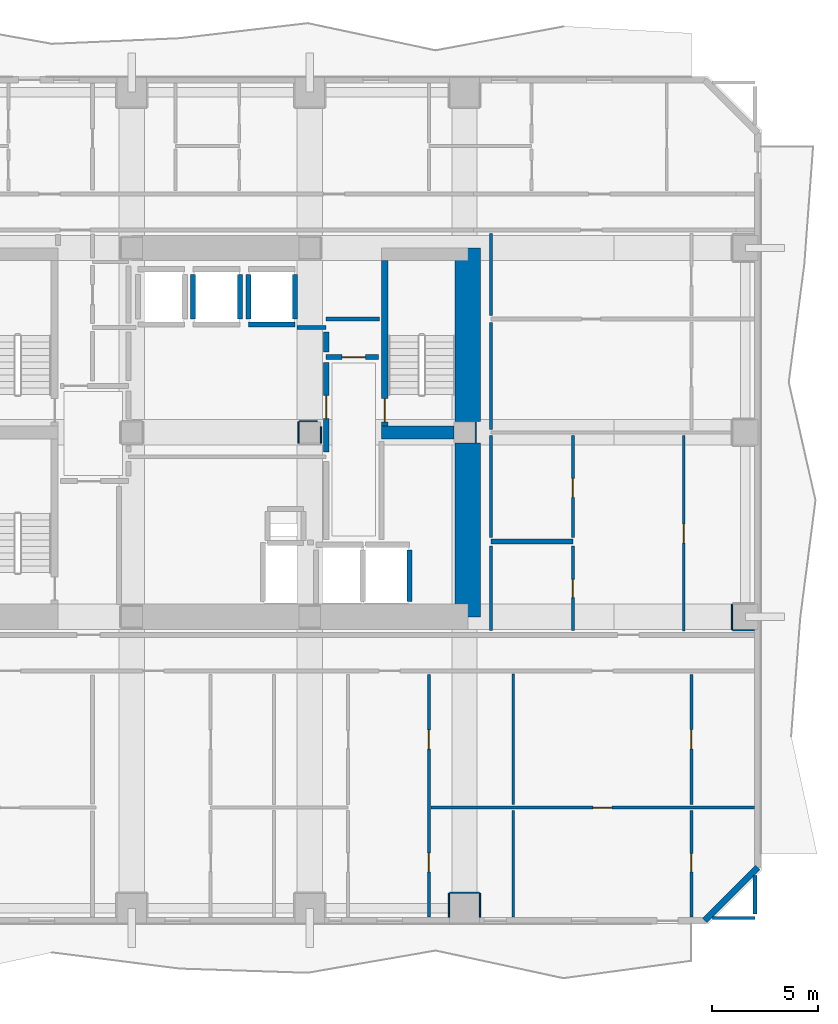
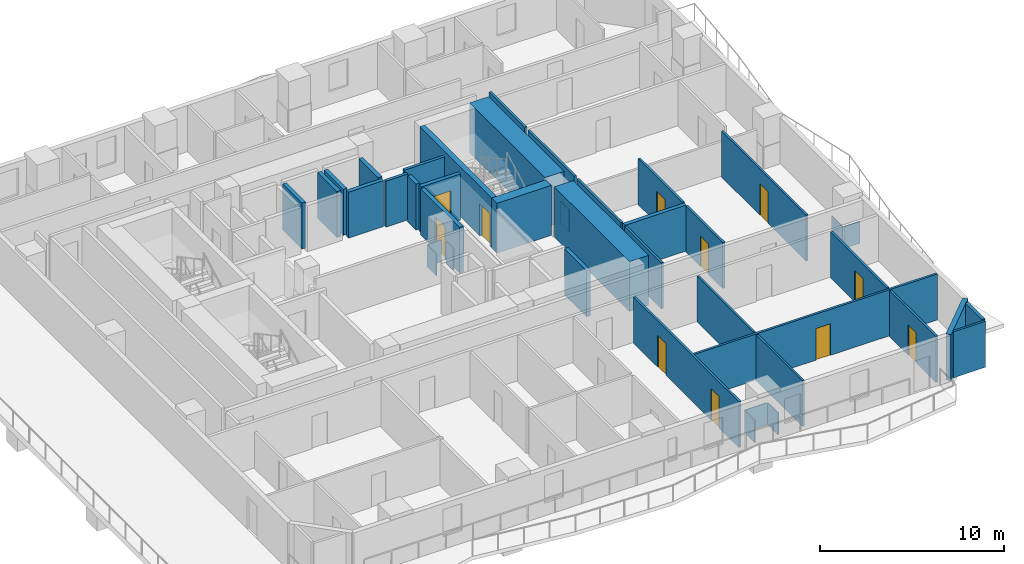
# One storey, part 4 of 10: 41 walls, 11 doors, 11 openings.
"""IFC4 building model written with IfcOpenShell, lengths in metres."""

from ifc_helpers import new_model, si_unit, direction, frame, frame_2d, origin, place, context, subcontext, project, spatial, rectangle, extrude, material, layer, layer_set, type_object, element, fill, save


model = new_model("IFC4")

# Units and contexts
model_context = context("Model", 3, precision=1e-05, world=origin(), true_north=direction((0.0, 1.0)))
body_context = subcontext(model_context, "Body", "Model", "MODEL_VIEW")
ifc_project = project(units=[si_unit("LENGTHUNIT", "METRE"), si_unit("AREAUNIT", "SQUARE_METRE"), si_unit("VOLUMEUNIT", "CUBIC_METRE"), si_unit("PLANEANGLEUNIT", "RADIAN"), si_unit("MASSUNIT", "GRAM", prefix="KILO")], contexts=[model_context])

# Site, building, storey
site_placement = place(None, origin())
site = spatial("IfcSite", under=ifc_project, at=site_placement, CompositionType="ELEMENT")
building_placement = place(site_placement, origin())
building = spatial("IfcBuilding", under=site, at=building_placement, Name="Solanera Arch Residences", CompositionType="ELEMENT")
storey_placement = place(building_placement, frame((0.0, 0.0, 41.919921875)))
storey = spatial("IfcBuildingStorey", under=building, at=storey_placement, Name="L11", CompositionType="ELEMENT", Elevation=41.919921875)

# Walls
ifc_material_1 = material(Name="Fire-Rated Gypsum Stud Partition", Category="gypsum")
ifc_layer_1 = layer(ifc_material_1, 0.06005859375)
ifc_layer_set_1 = layer_set([ifc_layer_1], Name="Fire-Rated Gypsum Stud Partition")
wall_type_1 = type_object("IfcWallType", Name="Column Acoustic Furring Wall 60", PredefinedType="PARTITIONING", material=ifc_layer_set_1)
wall_1_placement = place(storey_placement, frame((37.031982421875, 30.2099609375, 0.0), z_axis=(0.0, 0.0, 1.0), x_axis=(0.0, 1.0, 0.0)))
element("IfcWall", 1, at=wall_1_placement, inside=storey, type_object=wall_type_1, Name="L11 Column Furring 6E", PredefinedType="PARTITIONING", context=body_context, shape_type="SweptSolid", body=[
    extrude(rectangle(XDim=0.97998046875, YDim=0.06005859375, at=frame_2d((0.489990234375, 0.0))), origin(), (0.0, 0.0, 1.0), 1.4501953125),
])
wall_2_placement = place(storey_placement, frame((28.699951171875, 31.23193359375, 0.0), z_axis=(0.0, 0.0, 1.0), x_axis=(1.0, 0.0, 0.0)))
element("IfcWall", 2, at=wall_2_placement, inside=storey, type_object=wall_type_1, Name="L11 Column Furring 8N", PredefinedType="PARTITIONING", context=body_context, shape_type="SweptSolid", body=[
    extrude(rectangle(XDim=0.841064453125, YDim=0.06005859375, at=frame_2d((0.42041015625, 0.0))), origin(), (0.0, 0.0, 1.0), 1.4501953125),
])
wall_3_placement = place(storey_placement, frame((28.66796875, 30.199951171875, 0.0), z_axis=(0.0, 0.0, 1.0), x_axis=(0.0, 1.0, 0.0)))
element("IfcWall", 3, at=wall_3_placement, inside=storey, type_object=wall_type_1, Name="L11 Column Furring 8W", PredefinedType="PARTITIONING", context=body_context, shape_type="SweptSolid", body=[
    extrude(rectangle(XDim=1.0, YDim=0.06005859375, at=frame_2d((0.5, 0.0))), origin(), (0.0, 0.0, 1.0), 1.4501953125),
])
wall_4_placement = place(storey_placement, frame((29.73193359375, 30.199951171875, 0.0), z_axis=(0.0, 0.0, 1.0), x_axis=(0.0, 1.0, 0.0)))
element("IfcWall", 4, at=wall_4_placement, inside=storey, type_object=wall_type_1, Name="L11 Column Furring 8E", PredefinedType="PARTITIONING", context=body_context, shape_type="SweptSolid", body=[
    extrude(rectangle(XDim=0.77197265625, YDim=0.06005859375, at=frame_2d((0.385986328125, 0.0))), origin(), (0.0, 0.0, 1.0), 1.4501953125),
])
wall_5_placement = place(storey_placement, frame((35.800048828125, 8.98193359375, 0.0), z_axis=(0.0, 0.0, 1.0), x_axis=(1.0, 0.0, 0.0)))
element("IfcWall", 5, at=wall_5_placement, inside=storey, type_object=wall_type_1, Name="L11 Column Furring 15N", PredefinedType="PARTITIONING", context=body_context, shape_type="SweptSolid", body=[
    extrude(rectangle(XDim=1.39990234375, YDim=0.06005859375, at=frame_2d((0.699951171875, 0.0))), origin(), (0.0, 0.0, 1.0), 1.4501953125),
])
for number, where, z_axis, x_axis, name in (
    (6, (35.76806640625, 7.830078125, 0.0), (0.0, 0.0, 1.0), (0.0, 1.0, 0.0), "L11 Column Furring 15W"),
    (7, (37.23193359375, 7.830078125, 0.0), (0.0, 0.0, 1.0), (0.0, 1.0, 0.0), "L11 Column Furring 15E"),
):
    element("IfcWall", number, at=place(storey_placement, frame(where, z_axis=z_axis, x_axis=x_axis)), inside=storey, type_object=wall_type_1, Name=name, PredefinedType="PARTITIONING", context=body_context, shape_type="SweptSolid", body=[
        extrude(rectangle(XDim=1.119873046875, YDim=0.06005859375, at=frame_2d((0.56005859375, 0.0))), origin(), (0.0, 0.0, 1.0), 1.4501953125),
    ])
wall_6_placement = place(storey_placement, frame((49.14990234375, 21.367919921875, 0.0), z_axis=(0.0, 0.0, 1.0), x_axis=(1.0, 0.0, 0.0)))
element("IfcWall", 8, at=wall_6_placement, inside=storey, type_object=wall_type_1, Name="L11 Column Furring 18S", PredefinedType="PARTITIONING", context=body_context, shape_type="SweptSolid", body=[
    extrude(rectangle(XDim=1.02001953125, YDim=0.06005859375, at=frame_2d((0.510009765625, 0.0))), origin(), (0.0, 0.0, 1.0), 1.4501953125),
])
wall_7_placement = place(storey_placement, frame((49.117919921875, 21.39990234375, 0.0), z_axis=(0.0, 0.0, 1.0), x_axis=(0.0, 1.0, 0.0)))
element("IfcWall", 9, at=wall_7_placement, inside=storey, type_object=wall_type_1, Name="L11 Column Furring 18W", PredefinedType="PARTITIONING", context=body_context, shape_type="SweptSolid", body=[
    extrude(rectangle(XDim=1.2001953125, YDim=0.06005859375, at=frame_2d((0.60009765625, 0.0))), origin(), (0.0, 0.0, 1.0), 1.4501953125),
])
ifc_material_2 = material(Name="Concrete C55/67 (f'c = 60 MPa)", Category="concrete")
ifc_layer_2 = layer(ifc_material_2, 1.199951171875)
ifc_layer_set_2 = layer_set([ifc_layer_2], Name="Concrete C55/67 (f'c = 60 MPa)")
wall_type_2 = type_object("IfcWallType", Name="Core Shear Wall CW-1200", PredefinedType="SHEAR", material=ifc_layer_set_2)
wall_8_placement = place(storey_placement, frame((36.659912109375, 22.0, 0.0), z_axis=(0.0, 0.0, 1.0), x_axis=(0.0, 1.0, 0.0)))
element("IfcWall", 10, at=wall_8_placement, inside=storey, type_object=wall_type_2, Name="L11 East Core South Shear Wall", PredefinedType="SHEAR", context=body_context, shape_type="SweptSolid", body=[
    extrude(rectangle(XDim=8.195068359375, YDim=1.199951171875, at=frame_2d((4.09765625, 0.0))), origin(), (0.0, 0.0, 1.0), 3.320068359375),
])
wall_9_placement = place(storey_placement, frame((36.659912109375, 31.205078125, 0.0), z_axis=(0.0, 0.0, 1.0), x_axis=(0.0, 1.0, 0.0)))
element("IfcWall", 11, at=wall_9_placement, inside=storey, type_object=wall_type_2, Name="L11 East Core North Shear Wall", PredefinedType="SHEAR", context=body_context, shape_type="SweptSolid", body=[
    extrude(rectangle(XDim=8.19482421875, YDim=1.199951171875, at=frame_2d((4.097412109375, 0.0))), origin(), (0.0, 0.0, 1.0), 3.320068359375),
])

# Wall, opening, door
ifc_material_3 = material(Name="Concrete C40/50 (f'c = 45 MPa)", Category="concrete")
ifc_layer_3 = layer(ifc_material_3, 0.320068359375)
ifc_layer_set_3 = layer_set([ifc_layer_3], Name="Concrete C40/50 (f'c = 45 MPa)")
wall_type_3 = type_object("IfcWallType", Name="Core Shear Wall CW-320", PredefinedType="SHEAR", material=ifc_layer_set_3)
wall_10_placement = place(storey_placement, frame((32.739990234375, 31.0, 0.0), z_axis=(0.0, 0.0, 1.0), x_axis=(0.0, 1.0, 0.0)))
wall_10 = element("IfcWall", 12, at=wall_10_placement, inside=storey, type_object=wall_type_3, Name="L11 Stair ST-T2 West Shear Wall", PredefinedType="SHEAR", context=body_context, shape_type="SweptSolid", body=[
    extrude(rectangle(XDim=7.800048828125, YDim=0.320068359375, at=frame_2d((3.89990234375, 0.0))), origin(), (0.0, 0.0, 1.0), 3.320068359375),
])
opening_1_placement = place(wall_10_placement, frame((0.18994140625, 0.0, 0.0)))
opening_1 = element("IfcOpeningElement", 13, at=opening_1_placement, cuts=wall_10, Name="Opening DF-01", PredefinedType="OPENING", context=body_context, shape_type="SweptSolid", body=[
    extrude(rectangle(XDim=1.10009765625, YDim=2.14990234375, at=frame_2d((0.550048828125, 1.074951171875))), frame((0.0, 0.169921875, 0.0), z_axis=(0.0, -1.0, 0.0), x_axis=(1.0, 0.0, 0.0)), (0.0, 0.0, 1.0), 0.3401),
])
ifc_material_4 = material(Name="Fire-Rated Architectural Hardwood", Category="wood")
door_type_1 = type_object("IfcDoorType", Name="Stair Exit Fire Door DF-01", OperationType="NOTDEFINED", PredefinedType="DOOR", material=ifc_material_4)
door_1_placement = place(opening_1_placement, origin())
door_1 = element("IfcDoor", 14, at=door_1_placement, inside=storey, type_object=door_type_1, Name="DR-L11-STAIR-ST-T2", OperationType="SINGLE_SWING_RIGHT", OverallHeight=2.14990234375, OverallWidth=1.10009765625, PredefinedType="DOOR", context=body_context, shape_type="SweptSolid", body=[
    extrude(rectangle(XDim=1.10009765625, YDim=2.14990234375, at=frame_2d((0.550048828125, 1.074951171875))), frame((0.0, 0.02490234375, 0.0), z_axis=(0.0, -1.0, 0.0), x_axis=(1.0, 0.0, 0.0)), (0.0, 0.0, 1.0), 0.050048828125),
])
fill(opening_1, door_1)

# Walls
ifc_material_5 = material(Name="Concrete C40/50 (f'c = 45 MPa)", Category="concrete")
ifc_layer_4 = layer(ifc_material_5, 0.60009765625)
ifc_layer_set_4 = layer_set([ifc_layer_4], Name="Concrete C40/50 (f'c = 45 MPa)")
wall_type_4 = type_object("IfcWallType", Name="Core Shear Wall CW-600", PredefinedType="SHEAR", material=ifc_layer_set_4)
wall_11_placement = place(storey_placement, frame((32.580078125, 30.699951171875, 0.0), z_axis=(0.0, 0.0, 1.0), x_axis=(1.0, 0.0, 0.0)))
element("IfcWall", 15, at=wall_11_placement, inside=storey, type_object=wall_type_4, Name="L11 East Stair Far-Landing Shear Wall", PredefinedType="SHEAR", context=body_context, shape_type="SweptSolid", body=[
    extrude(rectangle(XDim=3.4150390625, YDim=0.60009765625, at=frame_2d((1.70751953125, 0.0))), origin(), (0.0, 0.0, 1.0), 3.320068359375),
])
ifc_material_6 = material(Name="Autoclaved Aerated Concrete Blockwork", Category="masonry")
ifc_layer_5 = layer(ifc_material_6, 0.179931640625)
ifc_layer_set_5 = layer_set([ifc_layer_5], Name="Autoclaved Aerated Concrete Blockwork")
wall_type_5 = type_object("IfcWallType", Name="Corridor Fire Partition 180", PredefinedType="PARTITIONING", material=ifc_layer_set_5)
wall_12_placement = place(storey_placement, frame((28.593017578125, 35.64990234375, 0.0), z_axis=(0.0, 0.0, 1.0), x_axis=(1.0, 0.0, 0.0)))
element("IfcWall", 16, at=wall_12_placement, inside=storey, type_object=wall_type_5, Name="L11 Interior Partition H9 2", PredefinedType="PARTITIONING", context=body_context, shape_type="SweptSolid", body=[
    extrude(rectangle(XDim=1.382080078125, YDim=0.179931640625, at=frame_2d((0.69091796875, 0.0))), origin(), (0.0, 0.0, 1.0), 3.06005859375),
])
wall_13_placement = place(storey_placement, frame((29.97509765625, 36.050048828125, 0.0), z_axis=(0.0, 0.0, 1.0), x_axis=(1.0, 0.0, 0.0)))
element("IfcWall", 17, at=wall_13_placement, inside=storey, type_object=wall_type_5, Name="L11 Interior Partition H10", PredefinedType="PARTITIONING", context=body_context, shape_type="SweptSolid", body=[
    extrude(rectangle(XDim=2.5048828125, YDim=0.179931640625, at=frame_2d((1.25244140625, 0.0))), origin(), (0.0, 0.0, 1.0), 3.06005859375),
])
wall_14_placement = place(storey_placement, frame((50.199951171875, 7.968017578125, 0.0), z_axis=(0.0, 0.0, 1.0), x_axis=(0.0, 1.0, 0.0)))
element("IfcWall", 18, at=wall_14_placement, inside=storey, type_object=wall_type_5, Name="L11 Interior Partition V11 1", PredefinedType="PARTITIONING", context=body_context, shape_type="SweptSolid", body=[
    extrude(rectangle(XDim=1.8330078125, YDim=0.179931640625, at=frame_2d((0.91650390625, 0.0))), origin(), (0.0, 0.0, 1.0), 3.06005859375),
])
ifc_material_7 = material(Name="Precast Concrete C35/45", Category="concrete")
ifc_layer_6 = layer(ifc_material_7, 0.300048828125)
ifc_layer_set_6 = layer_set([ifc_layer_6], Name="Precast Concrete C35/45")
wall_type_6 = type_object("IfcWallType", Name="Exterior Wall Precast Masonry-Frame 300", PredefinedType="STANDARD", material=ifc_layer_set_6)
wall_15_placement = place(storey_placement, frame((50.3349609375, 10.1650390625, 0.0), z_axis=(0.0, 0.0, 1.0), x_axis=(-0.707106781187, -0.707106781187, 0.0)))
element("IfcWall", 19, at=wall_15_placement, inside=storey, type_object=wall_type_6, Name="L11 Tower Exterior Precast Masonry-Frame Wall CH5", PredefinedType="STANDARD", context=body_context, shape_type="SweptSolid", body=[
    extrude(rectangle(XDim=3.53564453125, YDim=0.300048828125, at=frame_2d((1.767822265625, 0.0))), origin(), (0.0, 0.0, 1.0), 3.06005859375),
])
ifc_material_8 = material(Name="Autoclaved Aerated Concrete Blockwork", Category="masonry")
ifc_layer_7 = layer(ifc_material_8, 0.239990234375)
ifc_layer_set_7 = layer_set([ifc_layer_7], Name="Autoclaved Aerated Concrete Blockwork")
wall_type_7 = type_object("IfcWallType", Name="Shaft Wall Fire-Rated 240", PredefinedType="PARTITIONING", material=ifc_layer_set_7)
for number, where, z_axis, x_axis, name in (
    (20, (23.699951171875, 36.048095703125, 0.0), (0.0, 0.0, 1.0), (0.0, 1.0, 0.0), "L11 Lift PL-L2 Hoistway Wall W"),
    (21, (25.89990234375, 36.048095703125, 0.0), (0.0, 0.0, 1.0), (0.0, 1.0, 0.0), "L11 Lift PL-L2 Hoistway Wall E"),
):
    element("IfcWall", number, at=place(storey_placement, frame(where, z_axis=z_axis, x_axis=x_axis)), inside=storey, type_object=wall_type_7, Name=name, PredefinedType="PARTITIONING", context=body_context, shape_type="SweptSolid", body=[
        extrude(rectangle(XDim=2.10400390625, YDim=0.239990234375, at=frame_2d((1.052001953125, 0.0))), origin(), (0.0, 0.0, 1.0), 3.06005859375),
    ])
wall_16_placement = place(storey_placement, frame((26.300048828125, 35.800048828125, 0.0), z_axis=(0.0, 0.0, 1.0), x_axis=(1.0, 0.0, 0.0)))
element("IfcWall", 22, at=wall_16_placement, inside=storey, type_object=wall_type_7, Name="L11 Lift PL-L3 Hoistway Wall S", PredefinedType="PARTITIONING", context=body_context, shape_type="SweptSolid", body=[
    extrude(rectangle(XDim=2.199951171875, YDim=0.239990234375, at=frame_2d((1.10009765625, 0.0))), origin(), (0.0, 0.0, 1.0), 3.06005859375),
])
for number, where, z_axis, x_axis, name in (
    (23, (26.300048828125, 36.048095703125, 0.0), (0.0, 0.0, 1.0), (0.0, 1.0, 0.0), "L11 Lift PL-L3 Hoistway Wall W"),
    (24, (28.5, 36.048095703125, 0.0), (0.0, 0.0, 1.0), (0.0, 1.0, 0.0), "L11 Lift PL-L3 Hoistway Wall E"),
):
    element("IfcWall", number, at=place(storey_placement, frame(where, z_axis=z_axis, x_axis=x_axis)), inside=storey, type_object=wall_type_7, Name=name, PredefinedType="PARTITIONING", context=body_context, shape_type="SweptSolid", body=[
        extrude(rectangle(XDim=2.10400390625, YDim=0.239990234375, at=frame_2d((1.052001953125, 0.0))), origin(), (0.0, 0.0, 1.0), 3.06005859375),
    ])
wall_17_placement = place(storey_placement, frame((33.89990234375, 22.72998046875, 0.0), z_axis=(0.0, 0.0, 1.0), x_axis=(0.0, 1.0, 0.0)))
element("IfcWall", 25, at=wall_17_placement, inside=storey, type_object=wall_type_7, Name="L11 Lift FFL-2 Hoistway Wall E", PredefinedType="PARTITIONING", context=body_context, shape_type="SweptSolid", body=[
    extrude(rectangle(XDim=2.422119140625, YDim=0.239990234375, at=frame_2d((1.2109375, 0.0))), origin(), (0.0, 0.0, 1.0), 3.06005859375),
])
wall_18_placement = place(storey_placement, frame((37.75, 25.550048828125, 0.0), z_axis=(0.0, 0.0, 1.0), x_axis=(1.0, 0.0, 0.0)))
element("IfcWall", 26, at=wall_18_placement, inside=storey, type_object=wall_type_7, Name="L11 Interior Partition H3", PredefinedType="PARTITIONING", context=body_context, shape_type="SweptSolid", body=[
    extrude(rectangle(XDim=3.860107421875, YDim=0.239990234375, at=frame_2d((1.93017578125, 0.0))), origin(), (0.0, 0.0, 1.0), 3.06005859375),
])

# Wall, opening, door
wall_19_placement = place(storey_placement, frame((29.97509765625, 34.25, 0.0), z_axis=(0.0, 0.0, 1.0), x_axis=(1.0, 0.0, 0.0)))
wall_19 = element("IfcWall", 27, at=wall_19_placement, inside=storey, type_object=wall_type_7, Name="L11 Interior Partition H6", PredefinedType="PARTITIONING", context=body_context, shape_type="SweptSolid", body=[
    extrude(rectangle(XDim=2.474853515625, YDim=0.239990234375, at=frame_2d((1.2373046875, 0.0))), origin(), (0.0, 0.0, 1.0), 3.06005859375),
])
opening_2_placement = place(wall_19_placement, frame((0.751953125, 0.0, 0.0)))
opening_2 = element("IfcOpeningElement", 28, at=opening_2_placement, cuts=wall_19, Name="Opening DF-02", PredefinedType="OPENING", context=body_context, shape_type="SweptSolid", body=[
    extrude(rectangle(XDim=1.10009765625, YDim=2.14990234375, at=frame_2d((0.550048828125, 1.074951171875))), frame((0.0, 0.1298828125, 0.0), z_axis=(0.0, -1.0, 0.0), x_axis=(1.0, 0.0, 0.0)), (0.0, 0.0, 1.0), 0.26),
])
ifc_material_9 = material(Name="Fire-Rated Architectural Hardwood", Category="wood")
door_type_2 = type_object("IfcDoorType", Name="Firefighting Lobby Fire Door DF-02", OperationType="NOTDEFINED", PredefinedType="DOOR", material=ifc_material_9)
door_2_placement = place(opening_2_placement, origin())
door_2 = element("IfcDoor", 29, at=door_2_placement, inside=storey, type_object=door_type_2, Name="DR-L11-IN-007", OperationType="SINGLE_SWING_LEFT", OverallHeight=2.14990234375, OverallWidth=1.10009765625, PredefinedType="DOOR", context=body_context, shape_type="SweptSolid", body=[
    extrude(rectangle(XDim=1.10009765625, YDim=2.14990234375, at=frame_2d((0.550048828125, 1.074951171875))), frame((0.0, 0.02490234375, 0.0), z_axis=(0.0, -1.0, 0.0), x_axis=(1.0, 0.0, 0.0)), (0.0, 0.0, 1.0), 0.050048828125),
])
fill(opening_2, door_2)

wall_20_placement = place(storey_placement, frame((29.97509765625, 29.76806640625, 0.0), z_axis=(0.0, 0.0, 1.0), x_axis=(0.0, 1.0, 0.0)))
wall_20 = element("IfcWall", 30, at=wall_20_placement, inside=storey, type_object=wall_type_7, Name="L11 Interior Partition V4 2", PredefinedType="PARTITIONING", context=body_context, shape_type="SweptSolid", body=[
    extrude(rectangle(XDim=4.23388671875, YDim=0.239990234375, at=frame_2d((2.116943359375, 0.0))), origin(), (0.0, 0.0, 1.0), 3.06005859375),
])
opening_3_placement = place(wall_20_placement, frame((1.58203125, 0.0, 0.0)))
opening_3 = element("IfcOpeningElement", 31, at=opening_3_placement, cuts=wall_20, Name="Opening DF-02", PredefinedType="OPENING", context=body_context, shape_type="SweptSolid", body=[
    extrude(rectangle(XDim=1.10009765625, YDim=2.14990234375, at=frame_2d((0.550048828125, 1.074951171875))), frame((0.0, 0.1298828125, 0.0), z_axis=(0.0, -1.0, 0.0), x_axis=(1.0, 0.0, 0.0)), (0.0, 0.0, 1.0), 0.26),
])
door_3_placement = place(opening_3_placement, origin())
door_3 = element("IfcDoor", 32, at=door_3_placement, inside=storey, type_object=door_type_2, Name="DR-L11-IN-006", OperationType="SINGLE_SWING_RIGHT", OverallHeight=2.14990234375, OverallWidth=1.10009765625, PredefinedType="DOOR", context=body_context, shape_type="SweptSolid", body=[
    extrude(rectangle(XDim=1.10009765625, YDim=2.14990234375, at=frame_2d((0.550048828125, 1.074951171875))), frame((0.0, 0.02490234375, 0.0), z_axis=(0.0, -1.0, 0.0), x_axis=(1.0, 0.0, 0.0)), (0.0, 0.0, 1.0), 0.050048828125),
])
fill(opening_3, door_3)

# Walls
wall_21_placement = place(storey_placement, frame((29.97509765625, 34.498046875, 0.0), z_axis=(0.0, 0.0, 1.0), x_axis=(0.0, 1.0, 0.0)))
element("IfcWall", 33, at=wall_21_placement, inside=storey, type_object=wall_type_7, Name="L11 Interior Partition V4 3", PredefinedType="PARTITIONING", context=body_context, shape_type="SweptSolid", body=[
    extrude(rectangle(XDim=0.933837890625, YDim=0.239990234375, at=frame_2d((0.466796875, 0.0))), origin(), (0.0, 0.0, 1.0), 3.06005859375),
])
ifc_material_10 = material(Name="Fire-Rated Gypsum Stud Partition", Category="gypsum")
ifc_layer_8 = layer(ifc_material_10, 0.1201171875)
ifc_layer_set_8 = layer_set([ifc_layer_8], Name="Fire-Rated Gypsum Stud Partition")
wall_type_8 = type_object("IfcWallType", Name="Unit Drywall Partition 120", PredefinedType="PARTITIONING", material=ifc_layer_set_8)
wall_22_placement = place(storey_placement, frame((38.80810546875, 7.826904296875, 0.0), z_axis=(0.0, 0.0, 1.0), x_axis=(0.0, 1.0, 0.0)))
element("IfcWall", 34, at=wall_22_placement, inside=storey, type_object=wall_type_8, Name="L11 Interior Partition V28 1", PredefinedType="PARTITIONING", context=body_context, shape_type="SweptSolid", body=[
    extrude(rectangle(XDim=5.03515625, YDim=0.1201171875, at=frame_2d((2.517578125, 0.0))), origin(), (0.0, 0.0, 1.0), 3.06005859375),
])
wall_23_placement = place(storey_placement, frame((38.80810546875, 13.137939453125, 0.0), z_axis=(0.0, 0.0, 1.0), x_axis=(0.0, 1.0, 0.0)))
element("IfcWall", 35, at=wall_23_placement, inside=storey, type_object=wall_type_8, Name="L11 Interior Partition V28 2", PredefinedType="PARTITIONING", context=body_context, shape_type="SweptSolid", body=[
    extrude(rectangle(XDim=6.154052734375, YDim=0.1201171875, at=frame_2d((3.0771484375, 0.0))), origin(), (0.0, 0.0, 1.0), 3.06005859375),
])

# Wall, opening, door
wall_24_placement = place(storey_placement, frame((46.839111328125, 21.337890625, 0.0), z_axis=(0.0, 0.0, 1.0), x_axis=(0.0, 1.0, 0.0)))
wall_24 = element("IfcWall", 36, at=wall_24_placement, inside=storey, type_object=wall_type_8, Name="L11 Interior Partition V30", PredefinedType="PARTITIONING", context=body_context, shape_type="SweptSolid", body=[
    extrude(rectangle(XDim=9.22412109375, YDim=0.1201171875, at=frame_2d((4.612060546875, 0.0))), origin(), (0.0, 0.0, 1.0), 3.06005859375),
])
opening_4_placement = place(wall_24_placement, frame((4.136962890625, 0.0, 0.0)))
opening_4 = element("IfcOpeningElement", 37, at=opening_4_placement, cuts=wall_24, Name="Opening DI-02", PredefinedType="OPENING", context=body_context, shape_type="SweptSolid", body=[
    extrude(rectangle(XDim=0.89990234375, YDim=2.10009765625, at=frame_2d((0.449951171875, 1.050048828125))), frame((0.0, 0.070068359375, 0.0), z_axis=(0.0, -1.0, 0.0), x_axis=(1.0, 0.0, 0.0)), (0.0, 0.0, 1.0), 0.1401),
])
ifc_material_11 = material(Name="Fire-Rated Architectural Hardwood", Category="wood")
door_type_3 = type_object("IfcDoorType", Name="Suite Room Swing Door DI-02", OperationType="NOTDEFINED", PredefinedType="DOOR", material=ifc_material_11)
door_4_placement = place(opening_4_placement, origin())
door_4 = element("IfcDoor", 38, at=door_4_placement, inside=storey, type_object=door_type_3, Name="DR-L11-IN-043", OperationType="SINGLE_SWING_LEFT", OverallHeight=2.10009765625, OverallWidth=0.89990234375, PredefinedType="DOOR", context=body_context, shape_type="SweptSolid", body=[
    extrude(rectangle(XDim=0.89990234375, YDim=2.10009765625, at=frame_2d((0.449951171875, 1.050048828125))), frame((0.0, 0.02490234375, 0.0), z_axis=(0.0, -1.0, 0.0), x_axis=(1.0, 0.0, 0.0)), (0.0, 0.0, 1.0), 0.050048828125),
])
fill(opening_4, door_4)

# Wall
ifc_material_12 = material(Name="Autoclaved Aerated Concrete Blockwork", Category="masonry")
ifc_layer_9 = layer(ifc_material_12, 0.139892578125)
ifc_layer_set_9 = layer_set([ifc_layer_9], Name="Autoclaved Aerated Concrete Blockwork")
wall_type_9 = type_object("IfcWallType", Name="Wet-Room Partition 140", PredefinedType="PARTITIONING", material=ifc_layer_set_9)
wall_25_placement = place(storey_placement, frame((48.198974609375, 7.800048828125, 0.0), z_axis=(0.0, 0.0, 1.0), x_axis=(1.0, 0.0, 0.0)))
element("IfcWall", 39, at=wall_25_placement, inside=storey, type_object=wall_type_9, Name="L11 Interior Partition H14 2", PredefinedType="PARTITIONING", context=body_context, shape_type="SweptSolid", body=[
    extrude(rectangle(XDim=2.0009765625, YDim=0.139892578125, at=frame_2d((1.00048828125, 0.0))), origin(), (0.0, 0.0, 1.0), 3.06005859375),
])

# Wall, opening, door
wall_26_placement = place(storey_placement, frame((34.919921875, 13.0, 0.0), z_axis=(0.0, 0.0, 1.0), x_axis=(1.0, 0.0, 0.0)))
wall_26 = element("IfcWall", 40, at=wall_26_placement, inside=storey, type_object=wall_type_9, Name="L11 Interior Partition H17", PredefinedType="PARTITIONING", context=body_context, shape_type="SweptSolid", body=[
    extrude(rectangle(XDim=15.253173828125, YDim=0.139892578125, at=frame_2d((7.62646484375, 0.0))), origin(), (0.0, 0.0, 1.0), 3.06005859375),
])
opening_5_placement = place(wall_26_placement, frame((7.634033203125, 0.0, 0.0)))
opening_5 = element("IfcOpeningElement", 41, at=opening_5_placement, cuts=wall_26, Name="Opening DI-02", PredefinedType="OPENING", context=body_context, shape_type="SweptSolid", body=[
    extrude(rectangle(XDim=0.89990234375, YDim=2.10009765625, at=frame_2d((0.449951171875, 1.050048828125))), frame((0.0, 0.079833984375, 0.0), z_axis=(0.0, -1.0, 0.0), x_axis=(1.0, 0.0, 0.0)), (0.0, 0.0, 1.0), 0.1599),
])
door_5_placement = place(opening_5_placement, origin())
door_5 = element("IfcDoor", 42, at=door_5_placement, inside=storey, type_object=door_type_3, Name="DR-L11-IN-026", OperationType="SINGLE_SWING_RIGHT", OverallHeight=2.10009765625, OverallWidth=0.89990234375, PredefinedType="DOOR", context=body_context, shape_type="SweptSolid", body=[
    extrude(rectangle(XDim=0.89990234375, YDim=2.10009765625, at=frame_2d((0.449951171875, 1.050048828125))), frame((0.0, 0.02490234375, 0.0), z_axis=(0.0, -1.0, 0.0), x_axis=(1.0, 0.0, 0.0)), (0.0, 0.0, 1.0), 0.050048828125),
])
fill(opening_5, door_5)

# Wall, openings, doors
wall_27_placement = place(storey_placement, frame((34.820068359375, 7.826904296875, 0.0), z_axis=(0.0, 0.0, 1.0), x_axis=(0.0, 1.0, 0.0)))
wall_27 = element("IfcWall", 43, at=wall_27_placement, inside=storey, type_object=wall_type_9, Name="L11 Interior Partition V21", PredefinedType="PARTITIONING", context=body_context, shape_type="SweptSolid", body=[
    extrude(rectangle(XDim=11.455078125, YDim=0.139892578125, at=frame_2d((5.7275390625, 0.0))), origin(), (0.0, 0.0, 1.0), 3.06005859375),
])
opening_6_placement = place(wall_27_placement, frame((7.93505859375, 0.0, 0.0)))
opening_6 = element("IfcOpeningElement", 44, at=opening_6_placement, cuts=wall_27, Name="Opening DI-02", PredefinedType="OPENING", context=body_context, shape_type="SweptSolid", body=[
    extrude(rectangle(XDim=0.89990234375, YDim=2.10009765625, at=frame_2d((0.449951171875, 1.050048828125))), frame((0.0, 0.079833984375, 0.0), z_axis=(0.0, -1.0, 0.0), x_axis=(1.0, 0.0, 0.0)), (0.0, 0.0, 1.0), 0.1599),
])
opening_7_placement = place(wall_27_placement, frame((2.135986328125, 0.0, 0.0)))
opening_7 = element("IfcOpeningElement", 45, at=opening_7_placement, cuts=wall_27, Name="Opening DI-02", PredefinedType="OPENING", context=body_context, shape_type="SweptSolid", body=[
    extrude(rectangle(XDim=0.89990234375, YDim=2.10009765625, at=frame_2d((0.449951171875, 1.050048828125))), frame((0.0, 0.079833984375, 0.0), z_axis=(0.0, -1.0, 0.0), x_axis=(1.0, 0.0, 0.0)), (0.0, 0.0, 1.0), 0.1599),
])
door_6_placement = place(opening_6_placement, origin())
door_6 = element("IfcDoor", 46, at=door_6_placement, inside=storey, type_object=door_type_3, Name="DR-L11-IN-023", OperationType="SINGLE_SWING_LEFT", OverallHeight=2.10009765625, OverallWidth=0.89990234375, PredefinedType="DOOR", context=body_context, shape_type="SweptSolid", body=[
    extrude(rectangle(XDim=0.89990234375, YDim=2.10009765625, at=frame_2d((0.449951171875, 1.050048828125))), frame((0.0, 0.02490234375, 0.0), z_axis=(0.0, -1.0, 0.0), x_axis=(1.0, 0.0, 0.0)), (0.0, 0.0, 1.0), 0.050048828125),
])
fill(opening_6, door_6)
door_7_placement = place(opening_7_placement, origin())
door_7 = element("IfcDoor", 47, at=door_7_placement, inside=storey, type_object=door_type_3, Name="DR-L11-IN-024", OperationType="SINGLE_SWING_RIGHT", OverallHeight=2.10009765625, OverallWidth=0.89990234375, PredefinedType="DOOR", context=body_context, shape_type="SweptSolid", body=[
    extrude(rectangle(XDim=0.89990234375, YDim=2.10009765625, at=frame_2d((0.449951171875, 1.050048828125))), frame((0.0, 0.02490234375, 0.0), z_axis=(0.0, -1.0, 0.0), x_axis=(1.0, 0.0, 0.0)), (0.0, 0.0, 1.0), 0.050048828125),
])
fill(opening_7, door_7)

# Walls
wall_28_placement = place(storey_placement, frame((37.75, 21.347900390625, 0.0), z_axis=(0.0, 0.0, 1.0), x_axis=(0.0, 1.0, 0.0)))
element("IfcWall", 48, at=wall_28_placement, inside=storey, type_object=wall_type_9, Name="L11 Interior Partition V23 1", PredefinedType="PARTITIONING", context=body_context, shape_type="SweptSolid", body=[
    extrude(rectangle(XDim=4.004150390625, YDim=0.139892578125, at=frame_2d((2.001953125, 0.0))), origin(), (0.0, 0.0, 1.0), 3.06005859375),
])
wall_29_placement = place(storey_placement, frame((37.75, 25.748046875, 0.0), z_axis=(0.0, 0.0, 1.0), x_axis=(0.0, 1.0, 0.0)))
element("IfcWall", 49, at=wall_29_placement, inside=storey, type_object=wall_type_9, Name="L11 Interior Partition V23 2", PredefinedType="PARTITIONING", context=body_context, shape_type="SweptSolid", body=[
    extrude(rectangle(XDim=4.803955078125, YDim=0.139892578125, at=frame_2d((2.40185546875, 0.0))), origin(), (0.0, 0.0, 1.0), 3.06005859375),
])
wall_30_placement = place(storey_placement, frame((37.75, 30.847900390625, 0.0), z_axis=(0.0, 0.0, 1.0), x_axis=(0.0, 1.0, 0.0)))
element("IfcWall", 50, at=wall_30_placement, inside=storey, type_object=wall_type_9, Name="L11 Interior Partition V23 3", PredefinedType="PARTITIONING", context=body_context, shape_type="SweptSolid", body=[
    extrude(rectangle(XDim=5.0341796875, YDim=0.139892578125, at=frame_2d((2.51708984375, 0.0))), origin(), (0.0, 0.0, 1.0), 3.06005859375),
])
wall_31_placement = place(storey_placement, frame((37.75, 36.218017578125, 0.0), z_axis=(0.0, 0.0, 1.0), x_axis=(0.0, 1.0, 0.0)))
element("IfcWall", 51, at=wall_31_placement, inside=storey, type_object=wall_type_9, Name="L11 Interior Partition V23 4", PredefinedType="PARTITIONING", context=body_context, shape_type="SweptSolid", body=[
    extrude(rectangle(XDim=3.864013671875, YDim=0.139892578125, at=frame_2d((1.93212890625, 0.0))), origin(), (0.0, 0.0, 1.0), 3.06005859375),
])

# Wall, opening, door
wall_32_placement = place(storey_placement, frame((41.610107421875, 21.347900390625, 0.0), z_axis=(0.0, 0.0, 1.0), x_axis=(0.0, 1.0, 0.0)))
wall_32 = element("IfcWall", 52, at=wall_32_placement, inside=storey, type_object=wall_type_9, Name="L11 Interior Partition V25 1", PredefinedType="PARTITIONING", context=body_context, shape_type="SweptSolid", body=[
    extrude(rectangle(XDim=4.004150390625, YDim=0.139892578125, at=frame_2d((2.001953125, 0.0))), origin(), (0.0, 0.0, 1.0), 3.06005859375),
])
opening_8_placement = place(wall_32_placement, frame((1.56005859375, 0.0, 0.0)))
opening_8 = element("IfcOpeningElement", 53, at=opening_8_placement, cuts=wall_32, Name="Opening DI-05", PredefinedType="OPENING", context=body_context, shape_type="SweptSolid", body=[
    extrude(rectangle(XDim=0.860107421875, YDim=2.02001953125, at=frame_2d((0.43017578125, 1.010009765625))), frame((0.0, 0.079833984375, 0.0), z_axis=(0.0, -1.0, 0.0), x_axis=(1.0, 0.0, 0.0)), (0.0, 0.0, 1.0), 0.1599),
])
ifc_material_13 = material(Name="Fire-Rated Architectural Hardwood", Category="wood")
door_type_4 = type_object("IfcDoorType", Name="Bathroom Swing Door DI-05", OperationType="NOTDEFINED", PredefinedType="DOOR", material=ifc_material_13)
door_8_placement = place(opening_8_placement, origin())
door_8 = element("IfcDoor", 54, at=door_8_placement, inside=storey, type_object=door_type_4, Name="DR-L11-IN-041", OperationType="SINGLE_SWING_LEFT", OverallHeight=2.02001953125, OverallWidth=0.860107421875, PredefinedType="DOOR", context=body_context, shape_type="SweptSolid", body=[
    extrude(rectangle(XDim=0.860107421875, YDim=2.02001953125, at=frame_2d((0.43017578125, 1.010009765625))), frame((0.0, 0.02490234375, 0.0), z_axis=(0.0, -1.0, 0.0), x_axis=(1.0, 0.0, 0.0)), (0.0, 0.0, 1.0), 0.050048828125),
])
fill(opening_8, door_8)

wall_33_placement = place(storey_placement, frame((41.610107421875, 25.748046875, 0.0), z_axis=(0.0, 0.0, 1.0), x_axis=(0.0, 1.0, 0.0)))
wall_33 = element("IfcWall", 55, at=wall_33_placement, inside=storey, type_object=wall_type_9, Name="L11 Interior Partition V25 2", PredefinedType="PARTITIONING", context=body_context, shape_type="SweptSolid", body=[
    extrude(rectangle(XDim=4.803955078125, YDim=0.139892578125, at=frame_2d((2.40185546875, 0.0))), origin(), (0.0, 0.0, 1.0), 3.06005859375),
])
opening_9_placement = place(wall_33_placement, frame((1.888916015625, 0.0, 0.0)))
opening_9 = element("IfcOpeningElement", 56, at=opening_9_placement, cuts=wall_33, Name="Opening DI-03", PredefinedType="OPENING", context=body_context, shape_type="SweptSolid", body=[
    extrude(rectangle(XDim=0.89990234375, YDim=2.10009765625, at=frame_2d((0.449951171875, 1.050048828125))), frame((0.0, 0.079833984375, 0.0), z_axis=(0.0, -1.0, 0.0), x_axis=(1.0, 0.0, 0.0)), (0.0, 0.0, 1.0), 0.1599),
])
ifc_material_14 = material(Name="Fire-Rated Architectural Hardwood", Category="wood")
door_type_5 = type_object("IfcDoorType", Name="Bedroom Swing Door DI-03", OperationType="NOTDEFINED", PredefinedType="DOOR", material=ifc_material_14)
door_9_placement = place(opening_9_placement, origin())
door_9 = element("IfcDoor", 57, at=door_9_placement, inside=storey, type_object=door_type_5, Name="DR-L11-IN-042", OperationType="SINGLE_SWING_RIGHT", OverallHeight=2.10009765625, OverallWidth=0.89990234375, PredefinedType="DOOR", context=body_context, shape_type="SweptSolid", body=[
    extrude(rectangle(XDim=0.89990234375, YDim=2.10009765625, at=frame_2d((0.449951171875, 1.050048828125))), frame((0.0, 0.02490234375, 0.0), z_axis=(0.0, -1.0, 0.0), x_axis=(1.0, 0.0, 0.0)), (0.0, 0.0, 1.0), 0.050048828125),
])
fill(opening_9, door_9)

wall_34_placement = place(storey_placement, frame((47.199951171875, 7.826904296875, 0.0), z_axis=(0.0, 0.0, 1.0), x_axis=(0.0, 1.0, 0.0)))
wall_34 = element("IfcWall", 58, at=wall_34_placement, inside=storey, type_object=wall_type_9, Name="L11 Interior Partition V26 1", PredefinedType="PARTITIONING", context=body_context, shape_type="SweptSolid", body=[
    extrude(rectangle(XDim=5.025146484375, YDim=0.139892578125, at=frame_2d((2.5126953125, 0.0))), origin(), (0.0, 0.0, 1.0), 3.06005859375),
])
opening_10_placement = place(wall_34_placement, frame((2.14306640625, 0.0, 0.0)))
opening_10 = element("IfcOpeningElement", 59, at=opening_10_placement, cuts=wall_34, Name="Opening DI-05", PredefinedType="OPENING", context=body_context, shape_type="SweptSolid", body=[
    extrude(rectangle(XDim=0.860107421875, YDim=2.02001953125, at=frame_2d((0.43017578125, 1.010009765625))), frame((0.0, 0.079833984375, 0.0), z_axis=(0.0, -1.0, 0.0), x_axis=(1.0, 0.0, 0.0)), (0.0, 0.0, 1.0), 0.1599),
])
door_10_placement = place(opening_10_placement, origin())
door_10 = element("IfcDoor", 60, at=door_10_placement, inside=storey, type_object=door_type_4, Name="DR-L11-IN-028", OperationType="SINGLE_SWING_RIGHT", OverallHeight=2.02001953125, OverallWidth=0.860107421875, PredefinedType="DOOR", context=body_context, shape_type="SweptSolid", body=[
    extrude(rectangle(XDim=0.860107421875, YDim=2.02001953125, at=frame_2d((0.43017578125, 1.010009765625))), frame((0.0, 0.02490234375, 0.0), z_axis=(0.0, -1.0, 0.0), x_axis=(1.0, 0.0, 0.0)), (0.0, 0.0, 1.0), 0.050048828125),
])
fill(opening_10, door_10)

wall_35_placement = place(storey_placement, frame((47.199951171875, 13.14794921875, 0.0), z_axis=(0.0, 0.0, 1.0), x_axis=(0.0, 1.0, 0.0)))
wall_35 = element("IfcWall", 61, at=wall_35_placement, inside=storey, type_object=wall_type_9, Name="L11 Interior Partition V26 2", PredefinedType="PARTITIONING", context=body_context, shape_type="SweptSolid", body=[
    extrude(rectangle(XDim=6.134033203125, YDim=0.139892578125, at=frame_2d((3.06689453125, 0.0))), origin(), (0.0, 0.0, 1.0), 3.06005859375),
])
opening_11_placement = place(wall_35_placement, frame((2.626953125, 0.0, 0.0)))
opening_11 = element("IfcOpeningElement", 62, at=opening_11_placement, cuts=wall_35, Name="Opening DI-02", PredefinedType="OPENING", context=body_context, shape_type="SweptSolid", body=[
    extrude(rectangle(XDim=0.89990234375, YDim=2.10009765625, at=frame_2d((0.449951171875, 1.050048828125))), frame((0.0, 0.079833984375, 0.0), z_axis=(0.0, -1.0, 0.0), x_axis=(1.0, 0.0, 0.0)), (0.0, 0.0, 1.0), 0.1599),
])
door_11_placement = place(opening_11_placement, origin())
door_11 = element("IfcDoor", 63, at=door_11_placement, inside=storey, type_object=door_type_3, Name="DR-L11-IN-027", OperationType="SINGLE_SWING_LEFT", OverallHeight=2.10009765625, OverallWidth=0.89990234375, PredefinedType="DOOR", context=body_context, shape_type="SweptSolid", body=[
    extrude(rectangle(XDim=0.89990234375, YDim=2.10009765625, at=frame_2d((0.449951171875, 1.050048828125))), frame((0.0, 0.02490234375, 0.0), z_axis=(0.0, -1.0, 0.0), x_axis=(1.0, 0.0, 0.0)), (0.0, 0.0, 1.0), 0.050048828125),
])
fill(opening_11, door_11)

save(model, "model.ifc")
